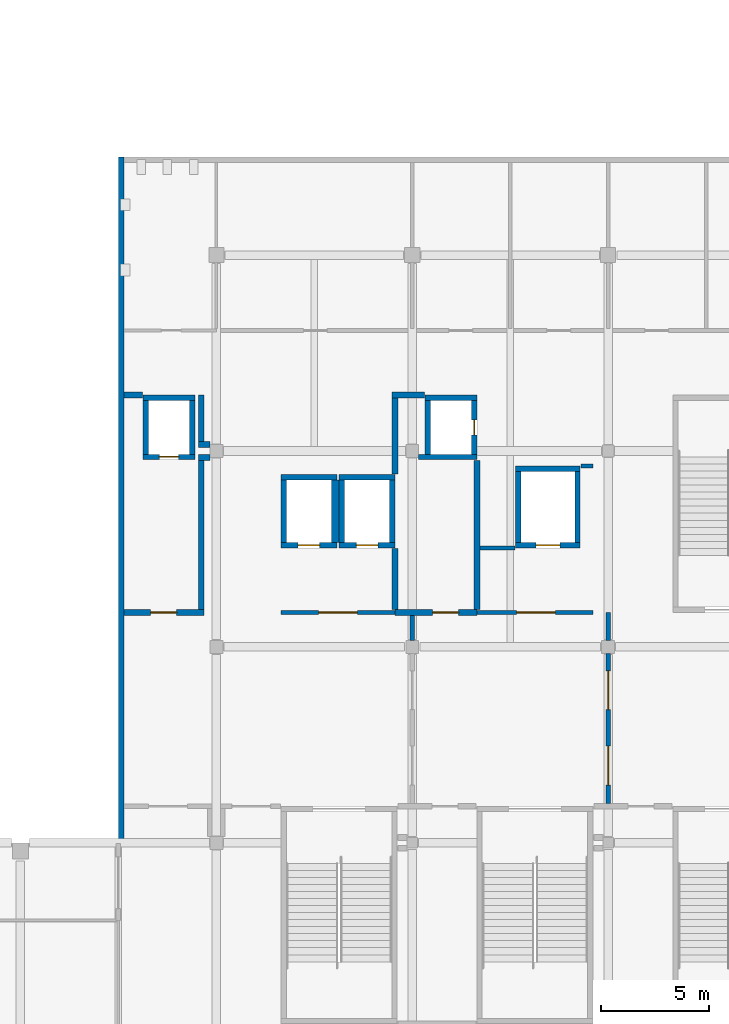
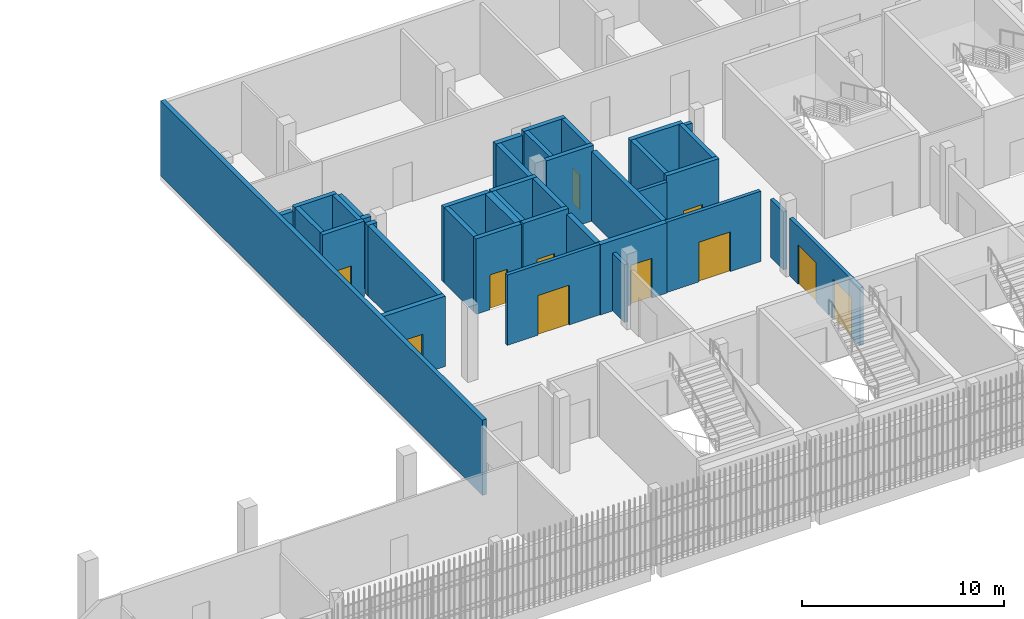
# One storey, part 71 of 124: 39 walls, 11 doors, 11 openings.
"""IFC4 building model written with IfcOpenShell, lengths in metres."""

from ifc_helpers import new_model, si_unit, direction, frame, frame_2d, origin, place, context, subcontext, project, spatial, rectangle, extrude, material, layer, layer_set, type_object, element, fill, save


model = new_model("IFC4")

# Units and contexts
model_context = context("Model", 3, precision=1e-05, world=origin(), true_north=direction((0.0, 1.0)))
body_context = subcontext(model_context, "Body", "Model", "MODEL_VIEW")
ifc_project = project(units=[si_unit("LENGTHUNIT", "METRE"), si_unit("AREAUNIT", "SQUARE_METRE"), si_unit("VOLUMEUNIT", "CUBIC_METRE"), si_unit("PLANEANGLEUNIT", "RADIAN"), si_unit("MASSUNIT", "GRAM", prefix="KILO")], contexts=[model_context])

# Site, building, storey
site_placement = place(None, origin())
site = spatial("IfcSite", under=ifc_project, at=site_placement, CompositionType="ELEMENT")
building_placement = place(site_placement, origin())
building = spatial("IfcBuilding", under=site, at=building_placement, Name="Shirokan Park Arena", CompositionType="ELEMENT")
storey_placement = place(building_placement, frame((0.0, 0.0, 20.02001953125)))
storey = spatial("IfcBuildingStorey", under=building, at=storey_placement, Name="L04", CompositionType="ELEMENT", Elevation=20.02001953125)

# Wall, opening, door
ifc_material_1 = material(Name="Gypsum board")
ifc_layer_1 = layer(ifc_material_1, 0.02490234375, Name="Gypsum board, two layers")
ifc_material_2 = material(Name="Mineral wool insulation")
ifc_layer_2 = layer(ifc_material_2, 0.14990234375, Name="Mineral wool insulation")
ifc_layer_3 = layer(ifc_material_1, 0.02490234375, Name="Gypsum board, two layers")
ifc_layer_set_1 = layer_set([ifc_layer_1, ifc_layer_2, ifc_layer_3], Name="Gypsum board, two layers + Mineral wool insulation")
wall_type_1 = type_object("IfcWallType", Name="Corridor wall 200", PredefinedType="PARTITIONING", material=ifc_layer_set_1)
wall_1_placement = place(storey_placement, frame((112.199951171875, 19.800048828125, 0.0), z_axis=(0.0, 0.0, 1.0), x_axis=(1.0, 0.0, 0.0)))
wall_1 = element("IfcWall", 1, at=wall_1_placement, inside=storey, type_object=wall_type_1, Name="Corridor wall 200 L04", PredefinedType="PARTITIONING", context=body_context, shape_type="SweptSolid", body=[
    extrude(rectangle(XDim=5.300048828125, YDim=0.199951171875, at=frame_2d((2.64990234375, 0.0))), origin(), (0.0, 0.0, 1.0), 4.25),
])
opening_1_placement = place(wall_1_placement, frame((1.75, 0.0, 0.0)))
opening_1 = element("IfcOpeningElement", 2, at=opening_1_placement, cuts=wall_1, Name="Opening D-4092", PredefinedType="OPENING", context=body_context, shape_type="SweptSolid", body=[
    extrude(rectangle(XDim=1.800048828125, YDim=2.39990234375, at=frame_2d((0.89990234375, 1.199951171875))), frame((0.0, 0.10986328125, 0.0), z_axis=(0.0, -1.0, 0.0), x_axis=(1.0, 0.0, 0.0)), (0.0, 0.0, 1.0), 0.219970703125),
])
ifc_material_3 = material(Name="Glazed steel door set, fire resisting", Category="steel")
door_type_1 = type_object("IfcDoorType", Name="Lift lobby door 1800 x 2400", OperationType="DOUBLE_DOOR_SINGLE_SWING", PredefinedType="DOOR", material=ifc_material_3)
door_1_placement = place(opening_1_placement, origin())
door_1 = element("IfcDoor", 3, at=door_1_placement, inside=storey, type_object=door_type_1, Name="Door between Broadcast Gallery 2.4.4 and Lift Lobby 2.4 D-4092", OperationType="DOUBLE_DOOR_SINGLE_SWING", OverallHeight=2.39990234375, OverallWidth=1.800048828125, PredefinedType="DOOR", context=body_context, shape_type="SweptSolid", body=[
    extrude(rectangle(XDim=1.800048828125, YDim=2.39990234375, at=frame_2d((0.89990234375, 1.199951171875))), frame((0.0, 0.02490234375, 0.0), z_axis=(0.0, -1.0, 0.0), x_axis=(1.0, 0.0, 0.0)), (0.0, 0.0, 1.0), 0.050048828125),
])
fill(opening_1, door_1)

# Wall
wall_2_placement = place(storey_placement, frame((118.300048828125, 18.5, 0.0), z_axis=(0.0, 0.0, 1.0), x_axis=(0.0, 1.0, 0.0)))
element("IfcWall", 4, at=wall_2_placement, inside=storey, type_object=wall_type_1, Name="Corridor wall 200 L04", PredefinedType="PARTITIONING", context=body_context, shape_type="SweptSolid", body=[
    extrude(rectangle(XDim=1.16259765625, YDim=0.199951171875, at=frame_2d((0.581298828125, 0.0))), origin(), (0.0, 0.0, 1.0), 3.5),
])

# Wall, opening, door
wall_3_placement = place(storey_placement, frame((121.300048828125, 19.800048828125, 0.0), z_axis=(0.0, 0.0, 1.0), x_axis=(1.0, 0.0, 0.0)))
wall_3 = element("IfcWall", 5, at=wall_3_placement, inside=storey, type_object=wall_type_1, Name="Corridor wall 200 L04", PredefinedType="PARTITIONING", context=body_context, shape_type="SweptSolid", body=[
    extrude(rectangle(XDim=5.39990234375, YDim=0.199951171875, at=frame_2d((2.699951171875, 0.0))), origin(), (0.0, 0.0, 1.0), 4.25),
])
opening_2_placement = place(wall_3_placement, frame((1.85009765625, 0.0, 0.0)))
opening_2 = element("IfcOpeningElement", 6, at=opening_2_placement, cuts=wall_3, Name="Opening D-4091", PredefinedType="OPENING", context=body_context, shape_type="SweptSolid", body=[
    extrude(rectangle(XDim=1.800048828125, YDim=2.39990234375, at=frame_2d((0.89990234375, 1.199951171875))), frame((0.0, 0.10986328125, 0.0), z_axis=(0.0, -1.0, 0.0), x_axis=(1.0, 0.0, 0.0)), (0.0, 0.0, 1.0), 0.219970703125),
])
door_2_placement = place(opening_2_placement, origin())
door_2 = element("IfcDoor", 7, at=door_2_placement, inside=storey, type_object=door_type_1, Name="Door between Stair Lobby 2.4.3 and Service Lift Lobby 2.4 D-4091", OperationType="DOUBLE_DOOR_SINGLE_SWING", OverallHeight=2.39990234375, OverallWidth=1.800048828125, PredefinedType="DOOR", context=body_context, shape_type="SweptSolid", body=[
    extrude(rectangle(XDim=1.800048828125, YDim=2.39990234375, at=frame_2d((0.89990234375, 1.199951171875))), frame((0.0, 0.02490234375, 0.0), z_axis=(0.0, -1.0, 0.0), x_axis=(1.0, 0.0, 0.0)), (0.0, 0.0, 1.0), 0.050048828125),
])
fill(opening_2, door_2)

# Walls
wall_4_placement = place(storey_placement, frame((121.4375, 22.800048828125, 0.0), z_axis=(0.0, 0.0, 1.0), x_axis=(1.0, 0.0, 0.0)))
element("IfcWall", 8, at=wall_4_placement, inside=storey, type_object=wall_type_1, Name="Corridor wall 200 L04", PredefinedType="PARTITIONING", context=body_context, shape_type="SweptSolid", body=[
    extrude(rectangle(XDim=1.632568359375, YDim=0.199951171875, at=frame_2d((0.81640625, 0.0))), origin(), (0.0, 0.0, 1.0), 4.25),
])
wall_5_placement = place(storey_placement, frame((126.1298828125, 26.60009765625, 0.0), z_axis=(0.0, 0.0, 1.0), x_axis=(1.0, 0.0, 0.0)))
element("IfcWall", 9, at=wall_5_placement, inside=storey, type_object=wall_type_1, Name="Corridor wall 200 L04", PredefinedType="PARTITIONING", context=body_context, shape_type="SweptSolid", body=[
    extrude(rectangle(XDim=0.570068359375, YDim=0.199951171875, at=frame_2d((0.28515625, 0.0))), origin(), (0.0, 0.0, 1.0), 4.25),
])

# Wall, openings, doors
wall_6_placement = place(storey_placement, frame((127.39990234375, 10.9375, 0.0), z_axis=(0.0, 0.0, 1.0), x_axis=(0.0, 1.0, 0.0)))
wall_6 = element("IfcWall", 10, at=wall_6_placement, inside=storey, type_object=wall_type_1, Name="Corridor wall 200 L04", PredefinedType="PARTITIONING", context=body_context, shape_type="SweptSolid", body=[
    extrude(rectangle(XDim=6.96240234375, YDim=0.199951171875, at=frame_2d((3.481201171875, 0.0))), origin(), (0.0, 0.0, 1.0), 3.5),
])
opening_3_placement = place(wall_6_placement, frame((0.85009765625, 0.0, 0.0)))
opening_3 = element("IfcOpeningElement", 11, at=opening_3_placement, cuts=wall_6, Name="Opening D-4087", PredefinedType="OPENING", context=body_context, shape_type="SweptSolid", body=[
    extrude(rectangle(XDim=1.800048828125, YDim=2.39990234375, at=frame_2d((0.89990234375, 1.199951171875))), frame((0.0, 0.10986328125, 0.0), z_axis=(0.0, -1.0, 0.0), x_axis=(1.0, 0.0, 0.0)), (0.0, 0.0, 1.0), 0.219970703125),
])
opening_4_placement = place(wall_6_placement, frame((4.35009765625, 0.0, 0.0)))
opening_4 = element("IfcOpeningElement", 12, at=opening_4_placement, cuts=wall_6, Name="Opening D-4088", PredefinedType="OPENING", context=body_context, shape_type="SweptSolid", body=[
    extrude(rectangle(XDim=1.800048828125, YDim=2.39990234375, at=frame_2d((0.89990234375, 1.199951171875))), frame((0.0, 0.10986328125, 0.0), z_axis=(0.0, -1.0, 0.0), x_axis=(1.0, 0.0, 0.0)), (0.0, 0.0, 1.0), 0.219970703125),
])
door_3_placement = place(opening_3_placement, origin())
door_3 = element("IfcDoor", 13, at=door_3_placement, inside=storey, type_object=door_type_1, Name="Door between Control Lobby 2.4.2 and Stair Lobby 2.4.3 D-4087", OperationType="DOUBLE_DOOR_SINGLE_SWING", OverallHeight=2.39990234375, OverallWidth=1.800048828125, PredefinedType="DOOR", context=body_context, shape_type="SweptSolid", body=[
    extrude(rectangle(XDim=1.800048828125, YDim=2.39990234375, at=frame_2d((0.89990234375, 1.199951171875))), frame((0.0, 0.02490234375, 0.0), z_axis=(0.0, -1.0, 0.0), x_axis=(1.0, 0.0, 0.0)), (0.0, 0.0, 1.0), 0.050048828125),
])
fill(opening_3, door_3)
door_4_placement = place(opening_4_placement, origin())
door_4 = element("IfcDoor", 14, at=door_4_placement, inside=storey, type_object=door_type_1, Name="Door between Control Lobby 2.4.2 and Stair Lobby 2.4.3 D-4088", OperationType="DOUBLE_DOOR_SINGLE_SWING", OverallHeight=2.39990234375, OverallWidth=1.800048828125, PredefinedType="DOOR", context=body_context, shape_type="SweptSolid", body=[
    extrude(rectangle(XDim=1.800048828125, YDim=2.39990234375, at=frame_2d((0.89990234375, 1.199951171875))), frame((0.0, 0.02490234375, 0.0), z_axis=(0.0, -1.0, 0.0), x_axis=(1.0, 0.0, 0.0)), (0.0, 0.0, 1.0), 0.050048828125),
])
fill(opening_4, door_4)

# Wall
wall_7_placement = place(storey_placement, frame((127.39990234375, 18.5, 0.0), z_axis=(0.0, 0.0, 1.0), x_axis=(0.0, 1.0, 0.0)))
element("IfcWall", 15, at=wall_7_placement, inside=storey, type_object=wall_type_1, Name="Corridor wall 200 L04", PredefinedType="PARTITIONING", context=body_context, shape_type="SweptSolid", body=[
    extrude(rectangle(XDim=1.300048828125, YDim=0.199951171875, at=frame_2d((0.64990234375, 0.0))), origin(), (0.0, 0.0, 1.0), 3.5),
])

# Wall, opening, door
ifc_material_4 = material(Name="Plaster")
ifc_layer_4 = layer(ifc_material_4, 0.012451171875, Name="Plaster")
ifc_material_5 = material(Name="Concrete blockwork", Category="masonry")
ifc_layer_5 = layer(ifc_material_5, 0.25, Name="Concrete blockwork 250")
ifc_layer_6 = layer(ifc_material_4, 0.012451171875, Name="Plaster")
ifc_layer_set_2 = layer_set([ifc_layer_4, ifc_layer_5, ifc_layer_6], Name="Plaster + Concrete blockwork 250")
wall_type_2 = type_object("IfcWallType", Name="Plant room wall 275", PredefinedType="SOLIDWALL", material=ifc_layer_set_2)
wall_8_placement = place(storey_placement, frame((104.89990234375, 19.800048828125, 0.0), z_axis=(0.0, 0.0, 1.0), x_axis=(1.0, 0.0, 0.0)))
wall_8 = element("IfcWall", 16, at=wall_8_placement, inside=storey, type_object=wall_type_2, Name="Plant room wall 275 L04", PredefinedType="SOLIDWALL", context=body_context, shape_type="SweptSolid", body=[
    extrude(rectangle(XDim=3.737548828125, YDim=0.27490234375, at=frame_2d((1.86865234375, 0.0))), origin(), (0.0, 0.0, 1.0), 4.25),
])
opening_5_placement = place(wall_8_placement, frame((1.25, 0.0, 0.0)))
opening_5 = element("IfcOpeningElement", 17, at=opening_5_placement, cuts=wall_8, Name="Opening D-4014", PredefinedType="OPENING", context=body_context, shape_type="SweptSolid", body=[
    extrude(rectangle(XDim=1.199951171875, YDim=2.39990234375, at=frame_2d((0.60009765625, 1.199951171875))), frame((0.0, 0.1474609375, 0.0), z_axis=(0.0, -1.0, 0.0), x_axis=(1.0, 0.0, 0.0)), (0.0, 0.0, 1.0), 0.294921875),
])
ifc_material_6 = material(Name="Louvred steel door set, fire resisting", Category="steel")
door_type_2 = type_object("IfcDoorType", Name="Plant room door 1200 x 2400", OperationType="SINGLE_SWING_LEFT", PredefinedType="DOOR", material=ifc_material_6)
door_5_placement = place(opening_5_placement, origin())
door_5 = element("IfcDoor", 18, at=door_5_placement, inside=storey, type_object=door_type_2, Name="Door to Equipment Room 4.29 D-4014", OperationType="SINGLE_SWING_RIGHT", OverallHeight=2.39990234375, OverallWidth=1.199951171875, PredefinedType="DOOR", context=body_context, shape_type="SweptSolid", body=[
    extrude(rectangle(XDim=1.199951171875, YDim=2.39990234375, at=frame_2d((0.60009765625, 1.199951171875))), frame((0.0, 0.02490234375, 0.0), z_axis=(0.0, -1.0, 0.0), x_axis=(1.0, 0.0, 0.0)), (0.0, 0.0, 1.0), 0.050048828125),
])
fill(opening_5, door_5)

# Walls
wall_9_placement = place(storey_placement, frame((104.89990234375, 29.89990234375, 0.0), z_axis=(0.0, 0.0, 1.0), x_axis=(1.0, 0.0, 0.0)))
element("IfcWall", 19, at=wall_9_placement, inside=storey, type_object=wall_type_2, Name="Plant room wall 275 L04", PredefinedType="SOLIDWALL", context=body_context, shape_type="SweptSolid", body=[
    extrude(rectangle(XDim=0.8701171875, YDim=0.27490234375, at=frame_2d((0.43505859375, 0.0))), origin(), (0.0, 0.0, 1.0), 4.25),
])
wall_10_placement = place(storey_placement, frame((108.362548828125, 27.0, 0.0), z_axis=(0.0, 0.0, 1.0), x_axis=(1.0, 0.0, 0.0)))
element("IfcWall", 20, at=wall_10_placement, inside=storey, type_object=wall_type_2, Name="Plant room wall 275 L04", PredefinedType="SOLIDWALL", context=body_context, shape_type="SweptSolid", body=[
    extrude(rectangle(XDim=0.537353515625, YDim=0.27490234375, at=frame_2d((0.2685546875, 0.0))), origin(), (0.0, 0.0, 1.0), 4.25),
])
wall_11_placement = place(storey_placement, frame((108.5, 19.9375, 0.0), z_axis=(0.0, 0.0, 1.0), x_axis=(0.0, 1.0, 0.0)))
element("IfcWall", 21, at=wall_11_placement, inside=storey, type_object=wall_type_2, Name="Plant room wall 275 L04", PredefinedType="SOLIDWALL", context=body_context, shape_type="SweptSolid", body=[
    extrude(rectangle(XDim=6.925048828125, YDim=0.27490234375, at=frame_2d((3.46240234375, 0.0))), origin(), (0.0, 0.0, 1.0), 4.25),
])
wall_12_placement = place(storey_placement, frame((108.5, 27.737548828125, 0.0), z_axis=(0.0, 0.0, 1.0), x_axis=(0.0, 1.0, 0.0)))
element("IfcWall", 22, at=wall_12_placement, inside=storey, type_object=wall_type_2, Name="Plant room wall 275 L04", PredefinedType="SOLIDWALL", context=body_context, shape_type="SweptSolid", body=[
    extrude(rectangle(XDim=2.162353515625, YDim=0.27490234375, at=frame_2d((1.0810546875, 0.0))), origin(), (0.0, 0.0, 1.0), 4.25),
])
wall_13_placement = place(storey_placement, frame((108.89990234375, 27.60009765625, 0.0), z_axis=(0.0, 0.0, 1.0), x_axis=(-1.0, 0.0, 0.0)))
element("IfcWall", 23, at=wall_13_placement, inside=storey, type_object=wall_type_2, Name="Plant room wall 275 L04", PredefinedType="SOLIDWALL", context=body_context, shape_type="SweptSolid", body=[
    extrude(rectangle(XDim=0.537353515625, YDim=0.27490234375, at=frame_2d((0.2685546875, 0.0))), origin(), (0.0, 0.0, 1.0), 4.25),
])
wall_14_placement = place(storey_placement, frame((117.362548828125, 29.89990234375, 0.0), z_axis=(0.0, 0.0, 1.0), x_axis=(1.0, 0.0, 0.0)))
element("IfcWall", 24, at=wall_14_placement, inside=storey, type_object=wall_type_2, Name="Plant room wall 275 L04", PredefinedType="SOLIDWALL", context=body_context, shape_type="SweptSolid", body=[
    extrude(rectangle(XDim=1.507568359375, YDim=0.27490234375, at=frame_2d((0.75390625, 0.0))), origin(), (0.0, 0.0, 1.0), 4.25),
])

# Wall, opening, door
wall_15_placement = place(storey_placement, frame((117.5, 19.800048828125, 0.0), z_axis=(0.0, 0.0, 1.0), x_axis=(1.0, 0.0, 0.0)))
wall_15 = element("IfcWall", 25, at=wall_15_placement, inside=storey, type_object=wall_type_2, Name="Plant room wall 275 L04", PredefinedType="SOLIDWALL", context=body_context, shape_type="SweptSolid", body=[
    extrude(rectangle(XDim=3.800048828125, YDim=0.27490234375, at=frame_2d((1.89990234375, 0.0))), origin(), (0.0, 0.0, 1.0), 4.25),
])
opening_6_placement = place(wall_15_placement, frame((1.75, 0.0, 0.0)))
opening_6 = element("IfcOpeningElement", 26, at=opening_6_placement, cuts=wall_15, Name="Opening D-4013", PredefinedType="OPENING", context=body_context, shape_type="SweptSolid", body=[
    extrude(rectangle(XDim=1.199951171875, YDim=2.39990234375, at=frame_2d((0.60009765625, 1.199951171875))), frame((0.0, 0.1474609375, 0.0), z_axis=(0.0, -1.0, 0.0), x_axis=(1.0, 0.0, 0.0)), (0.0, 0.0, 1.0), 0.294921875),
])
door_6_placement = place(opening_6_placement, origin())
door_6 = element("IfcDoor", 27, at=door_6_placement, inside=storey, type_object=door_type_2, Name="Door to Electrical Room 4.28 D-4013", OperationType="SINGLE_SWING_LEFT", OverallHeight=2.39990234375, OverallWidth=1.199951171875, PredefinedType="DOOR", context=body_context, shape_type="SweptSolid", body=[
    extrude(rectangle(XDim=1.199951171875, YDim=2.39990234375, at=frame_2d((0.60009765625, 1.199951171875))), frame((0.0, 0.02490234375, 0.0), z_axis=(0.0, -1.0, 0.0), x_axis=(1.0, 0.0, 0.0)), (0.0, 0.0, 1.0), 0.050048828125),
])
fill(opening_6, door_6)

# Walls
wall_16_placement = place(storey_placement, frame((117.5, 19.9375, 0.0), z_axis=(0.0, 0.0, 1.0), x_axis=(0.0, 1.0, 0.0)))
element("IfcWall", 28, at=wall_16_placement, inside=storey, type_object=wall_type_2, Name="Plant room wall 275 L04", PredefinedType="SOLIDWALL", context=body_context, shape_type="SweptSolid", body=[
    extrude(rectangle(XDim=2.83251953125, YDim=0.27490234375, at=frame_2d((1.416259765625, 0.0))), origin(), (0.0, 0.0, 1.0), 4.25),
])
wall_17_placement = place(storey_placement, frame((117.5, 26.22998046875, 0.0), z_axis=(0.0, 0.0, 1.0), x_axis=(0.0, 1.0, 0.0)))
element("IfcWall", 29, at=wall_17_placement, inside=storey, type_object=wall_type_2, Name="Plant room wall 275 L04", PredefinedType="SOLIDWALL", context=body_context, shape_type="SweptSolid", body=[
    extrude(rectangle(XDim=3.532470703125, YDim=0.27490234375, at=frame_2d((1.76611328125, 0.0))), origin(), (0.0, 0.0, 1.0), 4.25),
])
wall_18_placement = place(storey_placement, frame((121.300048828125, 19.9375, 0.0), z_axis=(0.0, 0.0, 1.0), x_axis=(0.0, 1.0, 0.0)))
element("IfcWall", 30, at=wall_18_placement, inside=storey, type_object=wall_type_2, Name="Plant room wall 275 L04", PredefinedType="SOLIDWALL", context=body_context, shape_type="SweptSolid", body=[
    extrude(rectangle(XDim=6.9326171875, YDim=0.27490234375, at=frame_2d((3.46630859375, 0.0))), origin(), (0.0, 0.0, 1.0), 4.25),
])
ifc_material_7 = material(Name="Concrete C35", Category="concrete")
ifc_layer_7 = layer(ifc_material_7, 0.25)
ifc_layer_set_3 = layer_set([ifc_layer_7], Name="Concrete C35 250 mm")
wall_type_3 = type_object("IfcWallType", Name="RC flank wall 250", PredefinedType="SHEAR", material=ifc_layer_set_3)
wall_19_placement = place(storey_placement, frame((104.77490234375, 40.949951171875, 0.0), z_axis=(0.0, 0.0, 1.0), x_axis=(0.0, -1.0, 0.0)))
element("IfcWall", 31, at=wall_19_placement, inside=storey, type_object=wall_type_3, Name="Flank wall S2 L04", PredefinedType="SHEAR", context=body_context, shape_type="SweptSolid", body=[
    extrude(rectangle(XDim=31.849853515625, YDim=0.25, at=frame_2d((15.9248046875, 0.0))), origin(), (0.0, 0.0, 1.0), 4.550048828125),
])

# Wall, opening, door
ifc_material_8 = material(Name="Concrete C40/50", Category="concrete")
ifc_layer_8 = layer(ifc_material_8, 0.25)
ifc_layer_set_4 = layer_set([ifc_layer_8], Name="Concrete C40/50 250 mm")
wall_type_4 = type_object("IfcWallType", Name="RC shear wall 250", PredefinedType="SHEAR", material=ifc_layer_set_4)
wall_20_placement = place(storey_placement, frame((117.5, 22.925048828125, 0.0), z_axis=(0.0, 0.0, 1.0), x_axis=(-1.0, 0.0, 0.0)))
wall_20 = element("IfcWall", 32, at=wall_20_placement, inside=storey, type_object=wall_type_4, Name="Shaft wall Passenger Lift 2.1 S L04", PredefinedType="SHEAR", context=body_context, shape_type="SweptSolid", body=[
    extrude(rectangle(XDim=2.60009765625, YDim=0.25, at=frame_2d((1.300048828125, 0.0))), origin(), (0.0, 0.0, 1.0), 4.550048828125),
])
opening_7_placement = place(wall_20_placement, frame((0.800048828125, 0.0, 0.0)))
opening_7 = element("IfcOpeningElement", 33, at=opening_7_placement, cuts=wall_20, Name="Opening LD17", PredefinedType="OPENING", context=body_context, shape_type="SweptSolid", body=[
    extrude(rectangle(XDim=1.0, YDim=2.10009765625, at=frame_2d((0.5, 1.050048828125))), frame((0.0, 0.135009765625, 0.0), z_axis=(0.0, -1.0, 0.0), x_axis=(1.0, 0.0, 0.0)), (0.0, 0.0, 1.0), 0.27001953125),
])
ifc_material_9 = material(Name="Stainless steel", Category="steel")
door_type_3 = type_object("IfcDoorType", Name="Lift landing door 1000x2100", OperationType="DOUBLE_DOOR_SLIDING", PredefinedType="DOOR", material=ifc_material_9)
door_7_placement = place(opening_7_placement, origin())
door_7 = element("IfcDoor", 34, at=door_7_placement, inside=storey, type_object=door_type_3, Name="Lift landing door Passenger Lift 2.1 L04", OperationType="DOUBLE_DOOR_SLIDING", OverallHeight=2.10009765625, OverallWidth=1.0, PredefinedType="DOOR", context=body_context, shape_type="SweptSolid", body=[
    extrude(rectangle(XDim=1.0, YDim=2.10009765625, at=frame_2d((0.5, 1.050048828125))), frame((0.0, 0.02490234375, 0.0), z_axis=(0.0, -1.0, 0.0), x_axis=(1.0, 0.0, 0.0)), (0.0, 0.0, 1.0), 0.050048828125),
])
fill(opening_7, door_7)

# Walls
wall_21_placement = place(storey_placement, frame((117.5, 26.074951171875, 0.0), z_axis=(0.0, 0.0, 1.0), x_axis=(-1.0, 0.0, 0.0)))
element("IfcWall", 35, at=wall_21_placement, inside=storey, type_object=wall_type_4, Name="Shaft wall Passenger Lift 2.1 N L04", PredefinedType="SHEAR", context=body_context, shape_type="SweptSolid", body=[
    extrude(rectangle(XDim=2.60009765625, YDim=0.25, at=frame_2d((1.300048828125, 0.0))), origin(), (0.0, 0.0, 1.0), 4.550048828125),
])
for number, where, z_axis, x_axis, name in (
    (36, (115.02490234375, 25.949951171875, 0.0), (0.0, 0.0, 1.0), (0.0, -1.0, 0.0), "Shaft wall Passenger Lift 2.1 W L04"),
    (37, (117.375, 25.949951171875, 0.0), (0.0, 0.0, 1.0), (0.0, -1.0, 0.0), "Shaft wall Passenger Lift 2.1 E L04"),
):
    element("IfcWall", number, at=place(storey_placement, frame(where, z_axis=z_axis, x_axis=x_axis)), inside=storey, type_object=wall_type_4, Name=name, PredefinedType="SHEAR", context=body_context, shape_type="SweptSolid", body=[
        extrude(rectangle(XDim=2.89990234375, YDim=0.25, at=frame_2d((1.449951171875, 0.0))), origin(), (0.0, 0.0, 1.0), 4.550048828125),
    ])

# Wall, opening, door
wall_22_placement = place(storey_placement, frame((114.800048828125, 22.925048828125, 0.0), z_axis=(0.0, 0.0, 1.0), x_axis=(-1.0, 0.0, 0.0)))
wall_22 = element("IfcWall", 38, at=wall_22_placement, inside=storey, type_object=wall_type_4, Name="Shaft wall Passenger Lift 2.2 S L04", PredefinedType="SHEAR", context=body_context, shape_type="SweptSolid", body=[
    extrude(rectangle(XDim=2.60009765625, YDim=0.25, at=frame_2d((1.300048828125, 0.0))), origin(), (0.0, 0.0, 1.0), 4.550048828125),
])
opening_8_placement = place(wall_22_placement, frame((0.800048828125, 0.0, 0.0)))
opening_8 = element("IfcOpeningElement", 39, at=opening_8_placement, cuts=wall_22, Name="Opening LD23", PredefinedType="OPENING", context=body_context, shape_type="SweptSolid", body=[
    extrude(rectangle(XDim=1.0, YDim=2.10009765625, at=frame_2d((0.5, 1.050048828125))), frame((0.0, 0.135009765625, 0.0), z_axis=(0.0, -1.0, 0.0), x_axis=(1.0, 0.0, 0.0)), (0.0, 0.0, 1.0), 0.27001953125),
])
door_8_placement = place(opening_8_placement, origin())
door_8 = element("IfcDoor", 40, at=door_8_placement, inside=storey, type_object=door_type_3, Name="Lift landing door Passenger Lift 2.2 L04", OperationType="DOUBLE_DOOR_SLIDING", OverallHeight=2.10009765625, OverallWidth=1.0, PredefinedType="DOOR", context=body_context, shape_type="SweptSolid", body=[
    extrude(rectangle(XDim=1.0, YDim=2.10009765625, at=frame_2d((0.5, 1.050048828125))), frame((0.0, 0.02490234375, 0.0), z_axis=(0.0, -1.0, 0.0), x_axis=(1.0, 0.0, 0.0)), (0.0, 0.0, 1.0), 0.050048828125),
])
fill(opening_8, door_8)

# Walls
wall_23_placement = place(storey_placement, frame((114.800048828125, 26.074951171875, 0.0), z_axis=(0.0, 0.0, 1.0), x_axis=(-1.0, 0.0, 0.0)))
element("IfcWall", 41, at=wall_23_placement, inside=storey, type_object=wall_type_4, Name="Shaft wall Passenger Lift 2.2 N L04", PredefinedType="SHEAR", context=body_context, shape_type="SweptSolid", body=[
    extrude(rectangle(XDim=2.60009765625, YDim=0.25, at=frame_2d((1.300048828125, 0.0))), origin(), (0.0, 0.0, 1.0), 4.550048828125),
])
wall_24_placement = place(storey_placement, frame((112.324951171875, 25.949951171875, 0.0), z_axis=(0.0, 0.0, 1.0), x_axis=(0.0, -1.0, 0.0)))
element("IfcWall", 42, at=wall_24_placement, inside=storey, type_object=wall_type_4, Name="Shaft wall Passenger Lift 2.2 W L04", PredefinedType="SHEAR", context=body_context, shape_type="SweptSolid", body=[
    extrude(rectangle(XDim=2.89990234375, YDim=0.25, at=frame_2d((1.449951171875, 0.0))), origin(), (0.0, 0.0, 1.0), 4.550048828125),
])

# Wall, opening, door
wall_25_placement = place(storey_placement, frame((108.199951171875, 27.02490234375, 0.0), z_axis=(0.0, 0.0, 1.0), x_axis=(-1.0, 0.0, 0.0)))
wall_25 = element("IfcWall", 43, at=wall_25_placement, inside=storey, type_object=wall_type_4, Name="Shaft wall Services Riser 2.1 S L04", PredefinedType="SHEAR", context=body_context, shape_type="SweptSolid", body=[
    extrude(rectangle(XDim=2.39990234375, YDim=0.25, at=frame_2d((1.199951171875, 0.0))), origin(), (0.0, 0.0, 1.0), 4.550048828125),
])
opening_9_placement = place(wall_25_placement, frame((0.75, 0.0, 0.0)))
opening_9 = element("IfcOpeningElement", 44, at=opening_9_placement, cuts=wall_25, Name="Opening D-4121", PredefinedType="OPENING", context=body_context, shape_type="SweptSolid", body=[
    extrude(rectangle(XDim=0.89990234375, YDim=2.10009765625, at=frame_2d((0.449951171875, 1.050048828125))), frame((0.0, 0.135009765625, 0.0), z_axis=(0.0, -1.0, 0.0), x_axis=(1.0, 0.0, 0.0)), (0.0, 0.0, 1.0), 0.27001953125),
])
ifc_material_10 = material(Name="Steel door set, fire resisting", Category="steel")
door_type_4 = type_object("IfcDoorType", Name="Electrical riser door 900 x 2100", OperationType="SINGLE_SWING_LEFT", PredefinedType="DOOR", material=ifc_material_10)
door_9_placement = place(opening_9_placement, origin())
door_9 = element("IfcDoor", 45, at=door_9_placement, inside=storey, type_object=door_type_4, Name="Riser access door Services Riser 2.1 D-4121", OperationType="SINGLE_SWING_LEFT", OverallHeight=2.10009765625, OverallWidth=0.89990234375, PredefinedType="DOOR", context=body_context, shape_type="SweptSolid", body=[
    extrude(rectangle(XDim=0.89990234375, YDim=2.10009765625, at=frame_2d((0.449951171875, 1.050048828125))), frame((0.0, 0.02490234375, 0.0), z_axis=(0.0, -1.0, 0.0), x_axis=(1.0, 0.0, 0.0)), (0.0, 0.0, 1.0), 0.050048828125),
])
fill(opening_9, door_9)

# Walls
wall_26_placement = place(storey_placement, frame((108.199951171875, 29.77490234375, 0.0), z_axis=(0.0, 0.0, 1.0), x_axis=(-1.0, 0.0, 0.0)))
element("IfcWall", 46, at=wall_26_placement, inside=storey, type_object=wall_type_4, Name="Shaft wall Services Riser 2.1 N L04", PredefinedType="SHEAR", context=body_context, shape_type="SweptSolid", body=[
    extrude(rectangle(XDim=2.39990234375, YDim=0.25, at=frame_2d((1.199951171875, 0.0))), origin(), (0.0, 0.0, 1.0), 4.550048828125),
])
for number, where, z_axis, x_axis, name in (
    (47, (105.925048828125, 29.64990234375, 0.0), (0.0, 0.0, 1.0), (0.0, -1.0, 0.0), "Shaft wall Services Riser 2.1 W L04"),
    (48, (108.074951171875, 29.64990234375, 0.0), (0.0, 0.0, 1.0), (0.0, -1.0, 0.0), "Shaft wall Services Riser 2.1 E L04"),
):
    element("IfcWall", number, at=place(storey_placement, frame(where, z_axis=z_axis, x_axis=x_axis)), inside=storey, type_object=wall_type_4, Name=name, PredefinedType="SHEAR", context=body_context, shape_type="SweptSolid", body=[
        extrude(rectangle(XDim=2.5, YDim=0.25, at=frame_2d((1.25, 0.0))), origin(), (0.0, 0.0, 1.0), 4.550048828125),
    ])
wall_27_placement = place(storey_placement, frame((121.300048828125, 27.02490234375, 0.0), z_axis=(0.0, 0.0, 1.0), x_axis=(-1.0, 0.0, 0.0)))
element("IfcWall", 49, at=wall_27_placement, inside=storey, type_object=wall_type_4, Name="Shaft wall Services Riser 2.2 S L04", PredefinedType="SHEAR", context=body_context, shape_type="SweptSolid", body=[
    extrude(rectangle(XDim=2.699951171875, YDim=0.25, at=frame_2d((1.35009765625, 0.0))), origin(), (0.0, 0.0, 1.0), 4.550048828125),
])
wall_28_placement = place(storey_placement, frame((121.300048828125, 29.77490234375, 0.0), z_axis=(0.0, 0.0, 1.0), x_axis=(-1.0, 0.0, 0.0)))
element("IfcWall", 50, at=wall_28_placement, inside=storey, type_object=wall_type_4, Name="Shaft wall Services Riser 2.2 N L04", PredefinedType="SHEAR", context=body_context, shape_type="SweptSolid", body=[
    extrude(rectangle(XDim=2.400146484375, YDim=0.25, at=frame_2d((1.2001953125, 0.0))), origin(), (0.0, 0.0, 1.0), 4.550048828125),
])
wall_29_placement = place(storey_placement, frame((119.02490234375, 29.64990234375, 0.0), z_axis=(0.0, 0.0, 1.0), x_axis=(0.0, -1.0, 0.0)))
element("IfcWall", 51, at=wall_29_placement, inside=storey, type_object=wall_type_4, Name="Shaft wall Services Riser 2.2 W L04", PredefinedType="SHEAR", context=body_context, shape_type="SweptSolid", body=[
    extrude(rectangle(XDim=2.5, YDim=0.25, at=frame_2d((1.25, 0.0))), origin(), (0.0, 0.0, 1.0), 4.550048828125),
])

# Wall, opening, door
wall_30_placement = place(storey_placement, frame((121.175048828125, 29.64990234375, 0.0), z_axis=(0.0, 0.0, 1.0), x_axis=(0.0, -1.0, 0.0)))
wall_30 = element("IfcWall", 52, at=wall_30_placement, inside=storey, type_object=wall_type_4, Name="Shaft wall Services Riser 2.2 E L04", PredefinedType="SHEAR", context=body_context, shape_type="SweptSolid", body=[
    extrude(rectangle(XDim=2.5, YDim=0.25, at=frame_2d((1.25, 0.0))), origin(), (0.0, 0.0, 1.0), 4.550048828125),
])
opening_10_placement = place(wall_30_placement, frame((0.89990234375, 0.0, 0.0)))
opening_10 = element("IfcOpeningElement", 53, at=opening_10_placement, cuts=wall_30, Name="Opening D-4122", PredefinedType="OPENING", context=body_context, shape_type="SweptSolid", body=[
    extrude(rectangle(XDim=0.699951171875, YDim=2.10009765625, at=frame_2d((0.35009765625, 1.050048828125))), frame((0.0, 0.135009765625, 0.0), z_axis=(0.0, -1.0, 0.0), x_axis=(1.0, 0.0, 0.0)), (0.0, 0.0, 1.0), 0.27001953125),
])
door_type_5 = type_object("IfcDoorType", Name="Mechanical riser door 700 x 2100", OperationType="SINGLE_SWING_LEFT", PredefinedType="DOOR", material=ifc_material_10)
door_10_placement = place(opening_10_placement, origin())
door_10 = element("IfcDoor", 54, at=door_10_placement, inside=storey, type_object=door_type_5, Name="Riser access door Services Riser 2.2 D-4122", OperationType="SINGLE_SWING_RIGHT", OverallHeight=2.10009765625, OverallWidth=0.699951171875, PredefinedType="DOOR", context=body_context, shape_type="SweptSolid", body=[
    extrude(rectangle(XDim=0.699951171875, YDim=2.10009765625, at=frame_2d((0.35009765625, 1.050048828125))), frame((0.0, 0.02490234375, 0.0), z_axis=(0.0, -1.0, 0.0), x_axis=(1.0, 0.0, 0.0)), (0.0, 0.0, 1.0), 0.050048828125),
])
fill(opening_10, door_10)

wall_31_placement = place(storey_placement, frame((126.10009765625, 22.925048828125, 0.0), z_axis=(0.0, 0.0, 1.0), x_axis=(-1.0, 0.0, 0.0)))
wall_31 = element("IfcWall", 55, at=wall_31_placement, inside=storey, type_object=wall_type_4, Name="Shaft wall Service Lift 2 S L04", PredefinedType="SHEAR", context=body_context, shape_type="SweptSolid", body=[
    extrude(rectangle(XDim=3.0, YDim=0.25, at=frame_2d((1.5, 0.0))), origin(), (0.0, 0.0, 1.0), 4.550048828125),
])
opening_11_placement = place(wall_31_placement, frame((0.949951171875, 0.0, 0.0)))
opening_11 = element("IfcOpeningElement", 56, at=opening_11_placement, cuts=wall_31, Name="Opening LD60", PredefinedType="OPENING", context=body_context, shape_type="SweptSolid", body=[
    extrude(rectangle(XDim=1.10009765625, YDim=2.10009765625, at=frame_2d((0.550048828125, 1.050048828125))), frame((0.0, 0.135009765625, 0.0), z_axis=(0.0, -1.0, 0.0), x_axis=(1.0, 0.0, 0.0)), (0.0, 0.0, 1.0), 0.27001953125),
])
door_type_6 = type_object("IfcDoorType", Name="Lift landing door 1100x2100", OperationType="DOUBLE_DOOR_SLIDING", PredefinedType="DOOR", material=ifc_material_9)
door_11_placement = place(opening_11_placement, origin())
door_11 = element("IfcDoor", 57, at=door_11_placement, inside=storey, type_object=door_type_6, Name="Lift landing door Service Lift 2 L04", OperationType="DOUBLE_DOOR_SLIDING", OverallHeight=2.10009765625, OverallWidth=1.10009765625, PredefinedType="DOOR", context=body_context, shape_type="SweptSolid", body=[
    extrude(rectangle(XDim=1.10009765625, YDim=2.10009765625, at=frame_2d((0.550048828125, 1.050048828125))), frame((0.0, 0.02490234375, 0.0), z_axis=(0.0, -1.0, 0.0), x_axis=(1.0, 0.0, 0.0)), (0.0, 0.0, 1.0), 0.050048828125),
])
fill(opening_11, door_11)

# Walls
wall_32_placement = place(storey_placement, frame((126.10009765625, 26.47509765625, 0.0), z_axis=(0.0, 0.0, 1.0), x_axis=(-1.0, 0.0, 0.0)))
element("IfcWall", 58, at=wall_32_placement, inside=storey, type_object=wall_type_4, Name="Shaft wall Service Lift 2 N L04", PredefinedType="SHEAR", context=body_context, shape_type="SweptSolid", body=[
    extrude(rectangle(XDim=3.0, YDim=0.25, at=frame_2d((1.5, 0.0))), origin(), (0.0, 0.0, 1.0), 4.550048828125),
])
for number, where, z_axis, x_axis, name in (
    (59, (123.22509765625, 26.35009765625, 0.0), (0.0, 0.0, 1.0), (0.0, -1.0, 0.0), "Shaft wall Service Lift 2 W L04"),
    (60, (125.97509765625, 26.35009765625, 0.0), (0.0, 0.0, 1.0), (0.0, -1.0, 0.0), "Shaft wall Service Lift 2 E L04"),
):
    element("IfcWall", number, at=place(storey_placement, frame(where, z_axis=z_axis, x_axis=x_axis)), inside=storey, type_object=wall_type_4, Name=name, PredefinedType="SHEAR", context=body_context, shape_type="SweptSolid", body=[
        extrude(rectangle(XDim=3.300048828125, YDim=0.25, at=frame_2d((1.64990234375, 0.0))), origin(), (0.0, 0.0, 1.0), 4.550048828125),
    ])
ifc_layer_9 = layer(ifc_material_8, 0.35009765625)
ifc_layer_set_5 = layer_set([ifc_layer_9], Name="Concrete C40/50 350 mm")
wall_type_5 = type_object("IfcWallType", Name="RC shear wall 350", PredefinedType="SHEAR", material=ifc_layer_set_5)
wall_33_placement = place(storey_placement, frame((114.72509765625, 25.949951171875, 0.0), z_axis=(0.0, 0.0, 1.0), x_axis=(0.0, -1.0, 0.0)))
element("IfcWall", 61, at=wall_33_placement, inside=storey, type_object=wall_type_5, Name="Shaft wall Passenger Lift 2.2 E L04", PredefinedType="SHEAR", context=body_context, shape_type="SweptSolid", body=[
    extrude(rectangle(XDim=2.89990234375, YDim=0.35009765625, at=frame_2d((1.449951171875, 0.0))), origin(), (0.0, 0.0, 1.0), 4.550048828125),
])

save(model, "model.ifc")
